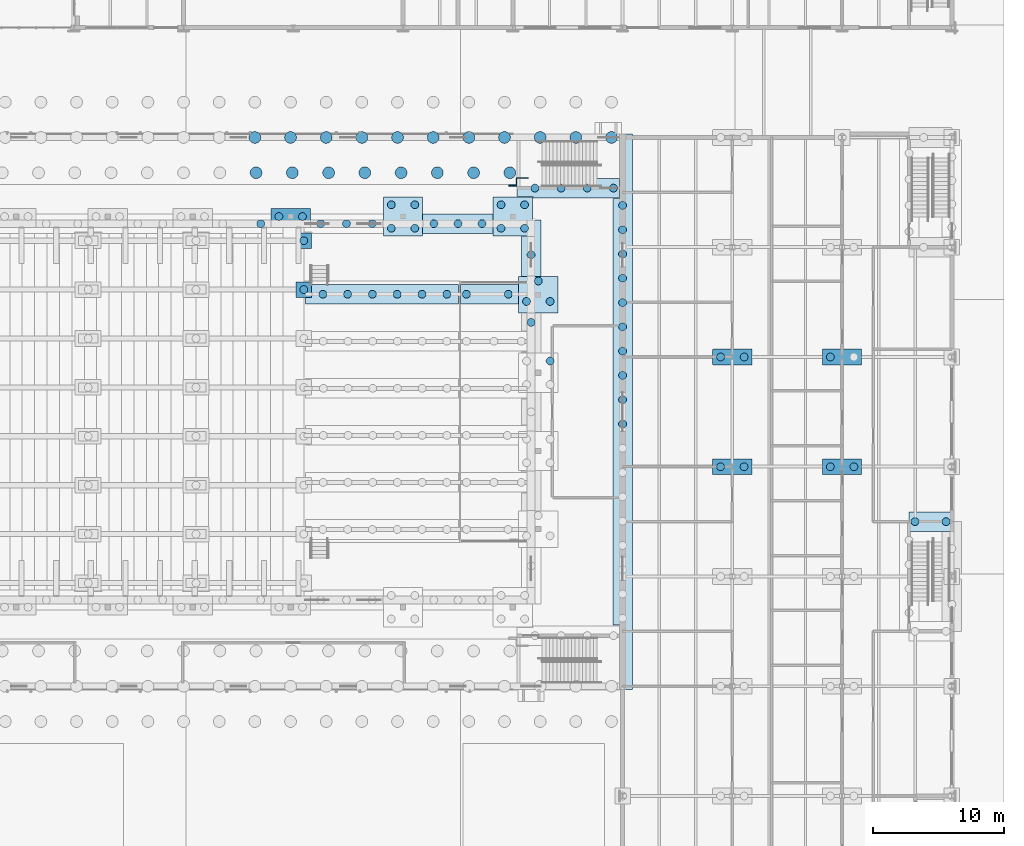
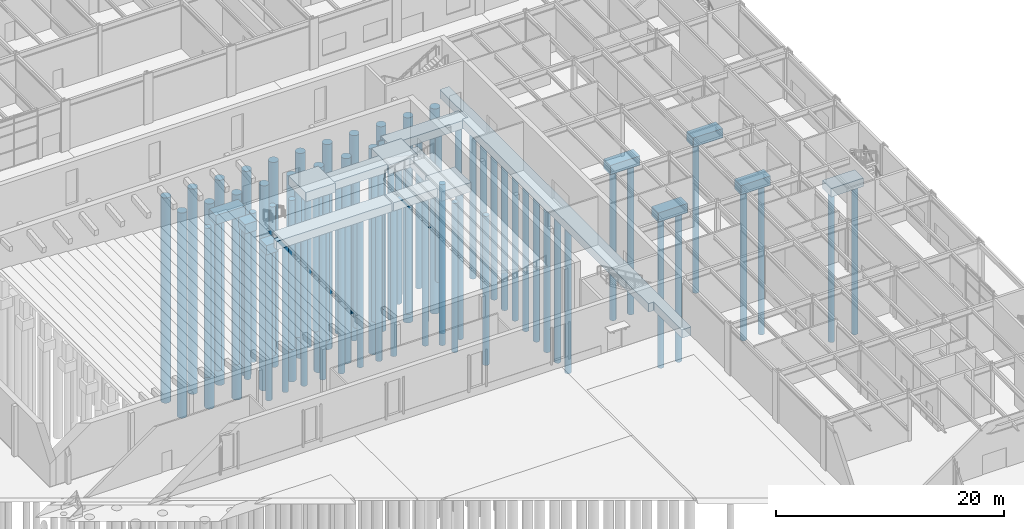
# One storey, part 14 of 127: 75 piles, 18 footings.
"""IFC4 building model written with IfcOpenShell, lengths in metres."""

from ifc_helpers import new_model, si_unit, direction, frame, origin, origin_2d, place, context, subcontext, project, spatial, polyline, circle, outline, extrude, material, layer, layer_set, material_profile, profile_set, type_object, element, save


model = new_model("IFC4")

# Units and contexts
model_context = context("Model", 3, precision=1e-05, world=origin(), true_north=direction((0.0, 1.0)))
body_context = subcontext(model_context, "Body", "Model", "MODEL_VIEW")
ifc_project = project(units=[si_unit("LENGTHUNIT", "METRE"), si_unit("AREAUNIT", "SQUARE_METRE"), si_unit("VOLUMEUNIT", "CUBIC_METRE"), si_unit("PLANEANGLEUNIT", "RADIAN"), si_unit("MASSUNIT", "GRAM", prefix="KILO")], contexts=[model_context])

# Site, building, storey
site_placement = place(None, origin())
site = spatial("IfcSite", under=ifc_project, at=site_placement, CompositionType="ELEMENT")
building_placement = place(site_placement, origin())
building = spatial("IfcBuilding", under=site, at=building_placement, Name="Ljudholm Concert House", CompositionType="ELEMENT")
storey_placement = place(building_placement, origin())
storey = spatial("IfcBuildingStorey", under=building, at=storey_placement, Name="L00", CompositionType="ELEMENT", Elevation=0.0)

# Piles
ifc_material_1 = material(Name="Concrete 5,000 psi", Category="concrete")
ifc_material_profile_1 = material_profile(ifc_material_1, circle(Radius=0.300048828125, at=origin_2d()), Name="AUGER-CAST PILE D600")
ifc_profile_set_1 = profile_set([ifc_material_profile_1], Name="Concrete 5,000 psi")
pile_type_1 = type_object("IfcPileType", Name="AUGER-CAST PILE D600", PredefinedType="BORED", material=ifc_profile_set_1)
for number, where, z_axis, x_axis, name in (
    (1, (70.10009765625, 90.35009765625, -1.300048828125), (0.0, 0.0, -1.0), (1.0, 0.0, 0.0), "Pile D600"),
    (2, (71.89990234375, 90.35009765625, -1.300048828125), (0.0, 0.0, -1.0), (1.0, 0.0, 0.0), "Pile D600"),
    (3, (72.0, 84.757080078125, -1.804931640625), (0.0, 0.0, -1.0), (1.0, 0.0, 0.0), "Pile D600"),
    (4, (72.0, 88.5, -1.804931640625), (0.0, 0.0, -1.0), (1.0, 0.0, 0.0), "Pile D600"),
    (5, (78.699951171875, 89.449951171875, -1.300048828125), (0.0, 0.0, -1.0), (1.0, 0.0, 0.0), "Pile D600"),
    (6, (80.5, 89.449951171875, -1.300048828125), (0.0, 0.0, -1.0), (1.0, 0.0, 0.0), "Pile D600"),
    (7, (78.699951171875, 91.25, -1.300048828125), (0.0, 0.0, -1.0), (1.0, 0.0, 0.0), "Pile D600"),
    (8, (80.5, 91.25, -1.300048828125), (0.0, 0.0, -1.0), (1.0, 0.0, 0.0), "Pile D600"),
    (9, (87.10009765625, 89.449951171875, -1.300048828125), (0.0, 0.0, -1.0), (1.0, 0.0, 0.0), "Pile D600"),
    (10, (88.89990234375, 89.449951171875, -1.300048828125), (0.0, 0.0, -1.0), (1.0, 0.0, 0.0), "Pile D600"),
    (11, (87.10009765625, 91.25, -1.300048828125), (0.0, 0.0, -1.0), (1.0, 0.0, 0.0), "Pile D600"),
    (12, (88.89990234375, 91.25, -1.300048828125), (0.0, 0.0, -1.0), (1.0, 0.0, 0.0), "Pile D600"),
    (13, (90.85009765625, 79.2900390625, -1.300048828125), (0.0, 0.0, -1.0), (1.0, 0.0, 0.0), "Pile D600"),
    (14, (89.050048828125, 83.850341796875, -1.300048828125), (0.0, 0.0, -1.0), (1.0, 0.0, 0.0), "Pile D600"),
    (15, (90.85009765625, 83.850341796875, -1.300048828125), (0.0, 0.0, -1.0), (1.0, 0.0, 0.0), "Pile D600"),
    (16, (89.949951171875, 85.4091796875, -1.300048828125), (0.0, 0.0, -1.0), (1.0, 0.0, 0.0), "Pile D600"),
    (17, (103.89990234375, 71.199951171875, -1.25), (0.0, 0.0, -1.0), (1.0, 0.0, 0.0), "Pile D600"),
    (18, (105.699951171875, 71.199951171875, -1.25), (0.0, 0.0, -1.0), (1.0, 0.0, 0.0), "Pile D600"),
    (19, (103.89990234375, 79.60009765625, -1.25), (0.0, 0.0, -1.0), (1.0, 0.0, 0.0), "Pile D600"),
    (20, (105.699951171875, 79.60009765625, -1.25), (0.0, 0.0, -1.0), (1.0, 0.0, 0.0), "Pile D600"),
    (21, (112.300048828125, 71.199951171875, -1.25), (0.0, 0.0, -1.0), (1.0, 0.0, 0.0), "Pile D600"),
    (22, (114.10009765625, 71.199951171875, -1.25), (0.0, 0.0, -1.0), (1.0, 0.0, 0.0), "Pile D600"),
    (23, (112.300048828125, 79.60009765625, -1.25), (0.0, 0.0, -1.0), (1.0, 0.0, 0.0), "Pile D600"),
    (24, (118.77490234375, 67.0, -1.14990234375), (0.0, 0.0, -1.0), (1.0, 0.0, 0.0), "Pile D600"),
    (25, (121.14990234375, 67.0, -1.14990234375), (0.0, 0.0, -1.0), (1.0, 0.0, 0.0), "Pile D600"),
    (26, (84.449951171875, 84.39990234375, -1.199951171875), (0.0, 0.0, -1.0), (1.0, 0.0, 0.0), "Pile D600"),
    (27, (87.65478515625, 84.39990234375, -1.199951171875), (0.0, 0.0, -1.0), (1.0, 0.0, 0.0), "Pile D600"),
    (28, (89.689453125, 92.52490234375, -1.39990234375), (0.0, 0.0, -1.0), (1.0, 0.0, 0.0), "Pile D600"),
    (29, (91.69287109375, 92.52490234375, -1.39990234375), (0.0, 0.0, -1.0), (1.0, 0.0, 0.0), "Pile D600"),
    (30, (93.696533203125, 92.52490234375, -1.39990234375), (0.0, 0.0, -1.0), (1.0, 0.0, 0.0), "Pile D600"),
    (31, (95.699951171875, 92.52490234375, -1.39990234375), (0.0, 0.0, -1.0), (1.0, 0.0, 0.0), "Pile D600"),
    (32, (73.456787109375, 84.39990234375, -1.199951171875), (0.0, 0.0, -1.0), (1.0, 0.0, 0.0), "Pile D600"),
    (33, (75.35546875, 84.39990234375, -1.199951171875), (0.0, 0.0, -1.0), (1.0, 0.0, 0.0), "Pile D600"),
    (34, (77.25390625, 84.39990234375, -1.199951171875), (0.0, 0.0, -1.0), (1.0, 0.0, 0.0), "Pile D600"),
    (35, (79.152587890625, 84.39990234375, -1.199951171875), (0.0, 0.0, -1.0), (1.0, 0.0, 0.0), "Pile D600"),
    (36, (81.05126953125, 84.39990234375, -1.199951171875), (0.0, 0.0, -1.0), (1.0, 0.0, 0.0), "Pile D600"),
    (37, (82.949951171875, 84.39990234375, -1.199951171875), (0.0, 0.0, -1.0), (1.0, 0.0, 0.0), "Pile D600"),
    (38, (68.704833984375, 89.800048828125, -1.199951171875), (0.0, 0.0, -1.0), (1.0, 0.0, 0.0), "Pile D600"),
    (39, (73.295166015625, 89.800048828125, -1.199951171875), (0.0, 0.0, -1.0), (1.0, 0.0, 0.0), "Pile D600"),
    (40, (75.268310546875, 89.800048828125, -1.199951171875), (0.0, 0.0, -1.0), (1.0, 0.0, 0.0), "Pile D600"),
    (41, (77.24169921875, 89.800048828125, -1.199951171875), (0.0, 0.0, -1.0), (1.0, 0.0, 0.0), "Pile D600"),
    (42, (81.958251953125, 89.800048828125, -1.199951171875), (0.0, 0.0, -1.0), (1.0, 0.0, 0.0), "Pile D600"),
    (43, (83.800048828125, 89.800048828125, -1.199951171875), (0.0, 0.0, -1.0), (1.0, 0.0, 0.0), "Pile D600"),
    (44, (85.6416015625, 89.800048828125, -1.199951171875), (0.0, 0.0, -1.0), (1.0, 0.0, 0.0), "Pile D600"),
    (45, (89.39990234375, 87.420166015625, -1.199951171875), (0.0, 0.0, -1.0), (1.0, 0.0, 0.0), "Pile D600"),
    (46, (89.39990234375, 82.245361328125, -1.199951171875), (0.0, 0.0, -1.0), (1.0, 0.0, 0.0), "Pile D600"),
    (47, (96.39990234375, 74.470703125, -1.199951171875), (0.0, 0.0, -1.0), (1.0, 0.0, 0.0), "Pile D600"),
    (48, (96.39990234375, 76.329345703125, -1.199951171875), (0.0, 0.0, -1.0), (1.0, 0.0, 0.0), "Pile D600"),
    (49, (96.39990234375, 78.18798828125, -1.199951171875), (0.0, 0.0, -1.0), (1.0, 0.0, 0.0), "Pile D600"),
    (50, (96.39990234375, 80.046630859375, -1.199951171875), (0.0, 0.0, -1.0), (1.0, 0.0, 0.0), "Pile D600"),
    (51, (96.39990234375, 81.9052734375, -1.199951171875), (0.0, 0.0, -1.0), (1.0, 0.0, 0.0), "Pile D600"),
    (52, (96.39990234375, 83.763916015625, -1.199951171875), (0.0, 0.0, -1.0), (1.0, 0.0, 0.0), "Pile D600"),
    (53, (96.39990234375, 85.62255859375, -1.199951171875), (0.0, 0.0, -1.0), (1.0, 0.0, 0.0), "Pile D600"),
    (54, (96.39990234375, 87.481201171875, -1.199951171875), (0.0, 0.0, -1.0), (1.0, 0.0, 0.0), "Pile D600"),
    (55, (96.39990234375, 89.33984375, -1.199951171875), (0.0, 0.0, -1.0), (1.0, 0.0, 0.0), "Pile D600"),
    (56, (96.39990234375, 91.198486328125, -1.199951171875), (0.0, 0.0, -1.0), (1.0, 0.0, 0.0), "Pile D600"),
):
    element("IfcPile", number, at=place(storey_placement, frame(where, z_axis=z_axis, x_axis=x_axis)), inside=storey, type_object=pile_type_1, Name=name, PredefinedType="BORED", context=body_context, shape_type="SweptSolid", body=[
        extrude(circle(Radius=0.300048828125, at=origin_2d()), origin(), (0.0, 0.0, 1.0), 16.0),
    ])
ifc_material_2 = material(Name="Concrete 5,000 psi", Category="concrete")
ifc_material_profile_2 = material_profile(ifc_material_2, circle(Radius=0.449951171875, at=origin_2d()), Name="AUGER-CAST PILE D900")
ifc_profile_set_2 = profile_set([ifc_material_profile_2], Name="Concrete 5,000 psi")
pile_type_2 = type_object("IfcPileType", Name="AUGER-CAST PILE D900", PredefinedType="BORED", material=ifc_profile_set_2)
for number, where, z_axis, x_axis, name in (
    (57, (68.34912109375, 93.699951171875, -1.699951171875), (0.0, 0.0, -1.0), (1.0, 0.0, 0.0), "Pile D900"),
    (58, (71.123779296875, 93.699951171875, -1.699951171875), (0.0, 0.0, -1.0), (1.0, 0.0, 0.0), "Pile D900"),
    (59, (73.898193359375, 93.699951171875, -1.699951171875), (0.0, 0.0, -1.0), (1.0, 0.0, 0.0), "Pile D900"),
    (60, (76.6728515625, 93.699951171875, -1.699951171875), (0.0, 0.0, -1.0), (1.0, 0.0, 0.0), "Pile D900"),
    (61, (79.447509765625, 93.699951171875, -1.699951171875), (0.0, 0.0, -1.0), (1.0, 0.0, 0.0), "Pile D900"),
    (62, (82.221923828125, 93.699951171875, -1.699951171875), (0.0, 0.0, -1.0), (1.0, 0.0, 0.0), "Pile D900"),
    (63, (84.99658203125, 93.699951171875, -1.699951171875), (0.0, 0.0, -1.0), (1.0, 0.0, 0.0), "Pile D900"),
    (64, (87.771240234375, 93.699951171875, -1.699951171875), (0.0, 0.0, -1.0), (1.0, 0.0, 0.0), "Pile D900"),
    (65, (68.25830078125, 96.39990234375, -1.699951171875), (0.0, 0.0, -1.0), (1.0, 0.0, 0.0), "Pile D900"),
    (66, (70.987548828125, 96.39990234375, -1.699951171875), (0.0, 0.0, -1.0), (1.0, 0.0, 0.0), "Pile D900"),
    (67, (73.716552734375, 96.39990234375, -1.699951171875), (0.0, 0.0, -1.0), (1.0, 0.0, 0.0), "Pile D900"),
    (68, (76.44580078125, 96.39990234375, -1.699951171875), (0.0, 0.0, -1.0), (1.0, 0.0, 0.0), "Pile D900"),
    (69, (79.175048828125, 96.39990234375, -1.699951171875), (0.0, 0.0, -1.0), (1.0, 0.0, 0.0), "Pile D900"),
    (70, (81.904052734375, 96.39990234375, -1.699951171875), (0.0, 0.0, -1.0), (1.0, 0.0, 0.0), "Pile D900"),
    (71, (84.63330078125, 96.39990234375, -1.699951171875), (0.0, 0.0, -1.0), (1.0, 0.0, 0.0), "Pile D900"),
    (72, (87.362548828125, 96.39990234375, -1.699951171875), (0.0, 0.0, -1.0), (1.0, 0.0, 0.0), "Pile D900"),
    (73, (90.091552734375, 96.39990234375, -1.699951171875), (0.0, 0.0, -1.0), (1.0, 0.0, 0.0), "Pile D900"),
    (74, (92.82080078125, 96.39990234375, -1.699951171875), (0.0, 0.0, -1.0), (1.0, 0.0, 0.0), "Pile D900"),
    (75, (95.550048828125, 96.39990234375, -1.699951171875), (0.0, 0.0, -1.0), (1.0, 0.0, 0.0), "Pile D900"),
):
    element("IfcPile", number, at=place(storey_placement, frame(where, z_axis=z_axis, x_axis=x_axis)), inside=storey, type_object=pile_type_2, Name=name, PredefinedType="BORED", context=body_context, shape_type="SweptSolid", body=[
        extrude(circle(Radius=0.449951171875, at=origin_2d()), origin(), (0.0, 0.0, 1.0), 22.0),
    ])

# Footings
ifc_material_3 = material(Name="Concrete 5,000 psi", Category="concrete")
ifc_layer_1 = layer(ifc_material_3, 1.0)
ifc_layer_set_1 = layer_set([ifc_layer_1], Name="Concrete 5,000 psi")
footing_type_1 = type_object("IfcFootingType", Name="RC PILE CAP 1200x1200x1000", PredefinedType="PILE_CAP", material=ifc_layer_set_1)
footing_1_placement = place(storey_placement, frame((0.0, 0.0, -1.804931640625)))
element("IfcFooting", 76, at=footing_1_placement, inside=storey, type_object=footing_type_1, Name="Pile cap", PredefinedType="PILE_CAP", context=body_context, shape_type="SweptSolid", body=[
    extrude(outline(polyline([(71.409912109375, 84.1572265625), (72.590087890625, 84.1572265625), (72.59375, 84.157958984375), (72.59716796875, 84.16015625), (72.59912109375, 84.163330078125), (72.60009765625, 84.167236328125), (72.60009765625, 85.34716796875), (72.59912109375, 85.35107421875), (72.59716796875, 85.354248046875), (72.59375, 85.3564453125), (72.590087890625, 85.357177734375), (71.409912109375, 85.357177734375), (71.40625, 85.3564453125), (71.40283203125, 85.354248046875), (71.40087890625, 85.35107421875), (71.39990234375, 85.34716796875), (71.39990234375, 84.167236328125), (71.40087890625, 84.163330078125), (71.40283203125, 84.16015625), (71.40625, 84.157958984375), (71.409912109375, 84.1572265625)])), origin(), (0.0, 0.0, 1.0), 1.0),
])
footing_2_placement = place(storey_placement, frame((0.0, 0.0, -1.804931640625)))
element("IfcFooting", 77, at=footing_2_placement, inside=storey, type_object=footing_type_1, Name="Pile cap", PredefinedType="PILE_CAP", context=body_context, shape_type="SweptSolid", body=[
    extrude(outline(polyline([(71.409912109375, 87.89990234375), (72.590087890625, 87.89990234375), (72.59375, 87.90087890625), (72.59716796875, 87.90283203125), (72.59912109375, 87.90625), (72.60009765625, 87.909912109375), (72.60009765625, 89.090087890625), (72.59912109375, 89.09375), (72.59716796875, 89.09716796875), (72.59375, 89.09912109375), (72.590087890625, 89.10009765625), (71.409912109375, 89.10009765625), (71.40625, 89.09912109375), (71.40283203125, 89.09716796875), (71.40087890625, 89.09375), (71.39990234375, 89.090087890625), (71.39990234375, 87.909912109375), (71.40087890625, 87.90625), (71.40283203125, 87.90283203125), (71.40625, 87.90087890625), (71.409912109375, 87.89990234375)])), origin(), (0.0, 0.0, 1.0), 1.0),
])
ifc_material_4 = material(Name="Concrete 5,000 psi", Category="concrete")
ifc_layer_2 = layer(ifc_material_4, 1.0)
ifc_layer_set_2 = layer_set([ifc_layer_2], Name="Concrete 5,000 psi")
footing_type_2 = type_object("IfcFootingType", Name="RC PILE CAP 3000x1200x1000", PredefinedType="PILE_CAP", material=ifc_layer_set_2)
footing_3_placement = place(storey_placement, frame((0.0, 0.0, -1.300048828125)))
element("IfcFooting", 78, at=footing_3_placement, inside=storey, type_object=footing_type_2, Name="Pile cap", PredefinedType="PILE_CAP", context=body_context, shape_type="SweptSolid", body=[
    extrude(outline(polyline([(69.510009765625, 89.75), (72.489990234375, 89.75), (72.493896484375, 89.750732421875), (72.498291015625, 89.75439453125), (72.5, 89.760009765625), (72.5, 90.93994140625), (72.499267578125, 90.94384765625), (72.49560546875, 90.9482421875), (72.489990234375, 90.949951171875), (69.510009765625, 90.949951171875), (69.506103515625, 90.94921875), (69.501708984375, 90.945556640625), (69.5, 90.93994140625), (69.5, 89.760009765625), (69.500732421875, 89.756103515625), (69.5029296875, 89.7529296875), (69.506103515625, 89.750732421875), (69.510009765625, 89.75)])), origin(), (0.0, 0.0, 1.0), 1.0),
])
footing_4_placement = place(storey_placement, frame((0.0, 0.0, -1.25)))
element("IfcFooting", 79, at=footing_4_placement, inside=storey, type_object=footing_type_2, Name="Pile cap", PredefinedType="PILE_CAP", context=body_context, shape_type="SweptSolid", body=[
    extrude(outline(polyline([(103.300048828125, 71.7900390625), (103.300048828125, 70.610107421875), (103.3017578125, 70.6044921875), (103.30615234375, 70.600830078125), (103.31005859375, 70.60009765625), (106.2900390625, 70.60009765625), (106.295654296875, 70.601806640625), (106.29931640625, 70.606201171875), (106.300048828125, 70.610107421875), (106.300048828125, 71.7900390625), (106.29833984375, 71.795654296875), (106.2939453125, 71.79931640625), (106.2900390625, 71.800048828125), (103.31005859375, 71.800048828125), (103.30615234375, 71.79931640625), (103.302978515625, 71.797119140625), (103.30078125, 71.7939453125), (103.300048828125, 71.7900390625)])), origin(), (0.0, 0.0, 1.0), 1.0),
])
footing_5_placement = place(storey_placement, frame((0.0, 0.0, -1.25)))
element("IfcFooting", 80, at=footing_5_placement, inside=storey, type_object=footing_type_2, Name="Pile cap", PredefinedType="PILE_CAP", context=body_context, shape_type="SweptSolid", body=[
    extrude(outline(polyline([(103.31005859375, 79.0), (106.2900390625, 79.0), (106.2939453125, 79.000732421875), (106.29833984375, 79.00439453125), (106.300048828125, 79.010009765625), (106.300048828125, 80.18994140625), (106.29931640625, 80.19384765625), (106.295654296875, 80.1982421875), (106.2900390625, 80.199951171875), (103.31005859375, 80.199951171875), (103.30615234375, 80.19921875), (103.3017578125, 80.195556640625), (103.300048828125, 80.18994140625), (103.300048828125, 79.010009765625), (103.30078125, 79.006103515625), (103.302978515625, 79.0029296875), (103.30615234375, 79.000732421875), (103.31005859375, 79.0)])), origin(), (0.0, 0.0, 1.0), 1.0),
])
footing_6_placement = place(storey_placement, frame((0.0, 0.0, -1.25)))
element("IfcFooting", 81, at=footing_6_placement, inside=storey, type_object=footing_type_2, Name="Pile cap", PredefinedType="PILE_CAP", context=body_context, shape_type="SweptSolid", body=[
    extrude(outline(polyline([(111.699951171875, 71.7900390625), (111.699951171875, 70.610107421875), (111.70166015625, 70.6044921875), (111.7060546875, 70.600830078125), (111.7099609375, 70.60009765625), (114.68994140625, 70.60009765625), (114.695556640625, 70.601806640625), (114.69921875, 70.606201171875), (114.699951171875, 70.610107421875), (114.699951171875, 71.7900390625), (114.6982421875, 71.795654296875), (114.69384765625, 71.79931640625), (114.68994140625, 71.800048828125), (111.7099609375, 71.800048828125), (111.7060546875, 71.79931640625), (111.702880859375, 71.797119140625), (111.70068359375, 71.7939453125), (111.699951171875, 71.7900390625)])), origin(), (0.0, 0.0, 1.0), 1.0),
])
footing_7_placement = place(storey_placement, frame((0.0, 0.0, -1.25)))
element("IfcFooting", 82, at=footing_7_placement, inside=storey, type_object=footing_type_2, Name="Pile cap", PredefinedType="PILE_CAP", context=body_context, shape_type="SweptSolid", body=[
    extrude(outline(polyline([(111.7099609375, 79.0), (114.68994140625, 79.0), (114.69384765625, 79.000732421875), (114.6982421875, 79.00439453125), (114.699951171875, 79.010009765625), (114.699951171875, 80.18994140625), (114.69921875, 80.19384765625), (114.695556640625, 80.1982421875), (114.68994140625, 80.199951171875), (111.7099609375, 80.199951171875), (111.7060546875, 80.19921875), (111.70166015625, 80.195556640625), (111.699951171875, 80.18994140625), (111.699951171875, 79.010009765625), (111.70068359375, 79.006103515625), (111.702880859375, 79.0029296875), (111.7060546875, 79.000732421875), (111.7099609375, 79.0)])), origin(), (0.0, 0.0, 1.0), 1.0),
])
ifc_material_5 = material(Name="Concrete 5,000 psi", Category="concrete")
ifc_layer_3 = layer(ifc_material_5, 1.0)
ifc_layer_set_3 = layer_set([ifc_layer_3], Name="Concrete 5,000 psi")
footing_type_3 = type_object("IfcFootingType", Name="RC PILE CAP 3000x2800x1000", PredefinedType="PILE_CAP", material=ifc_layer_set_3)
footing_8_placement = place(storey_placement, frame((0.0, 0.0, -1.300048828125)))
element("IfcFooting", 83, at=footing_8_placement, inside=storey, type_object=footing_type_3, Name="Pile cap", PredefinedType="PILE_CAP", context=body_context, shape_type="SweptSolid", body=[
    extrude(outline(polyline([(88.4599609375, 82.969970703125), (91.43994140625, 82.969970703125), (91.44384765625, 82.970703125), (91.447021484375, 82.972900390625), (91.44921875, 82.97607421875), (91.449951171875, 82.97998046875), (91.449951171875, 85.760009765625), (91.44921875, 85.763916015625), (91.447021484375, 85.76708984375), (91.44384765625, 85.769287109375), (91.43994140625, 85.77001953125), (88.4599609375, 85.77001953125), (88.4560546875, 85.769287109375), (88.452880859375, 85.76708984375), (88.45068359375, 85.763916015625), (88.449951171875, 85.760009765625), (88.449951171875, 82.97998046875), (88.45068359375, 82.97607421875), (88.452880859375, 82.972900390625), (88.4560546875, 82.970703125), (88.4599609375, 82.969970703125)])), origin(), (0.0, 0.0, 1.0), 1.0),
])
ifc_material_6 = material(Name="Concrete 5,000 psi", Category="concrete")
ifc_layer_4 = layer(ifc_material_6, 1.0)
ifc_layer_set_4 = layer_set([ifc_layer_4], Name="Concrete 5,000 psi")
footing_type_4 = type_object("IfcFootingType", Name="RC PILE CAP 3000x3000x1000", PredefinedType="PILE_CAP", material=ifc_layer_set_4)
footing_9_placement = place(storey_placement, frame((0.0, 0.0, -1.300048828125)))
element("IfcFooting", 84, at=footing_9_placement, inside=storey, type_object=footing_type_4, Name="Pile cap", PredefinedType="PILE_CAP", context=body_context, shape_type="SweptSolid", body=[
    extrude(outline(polyline([(78.110107421875, 88.85009765625), (81.090087890625, 88.85009765625), (81.09375, 88.850830078125), (81.09716796875, 88.85302734375), (81.09912109375, 88.856201171875), (81.10009765625, 88.860107421875), (81.10009765625, 91.840087890625), (81.09912109375, 91.84375), (81.09716796875, 91.84716796875), (81.09375, 91.84912109375), (81.090087890625, 91.85009765625), (78.110107421875, 91.85009765625), (78.106201171875, 91.84912109375), (78.10302734375, 91.84716796875), (78.100830078125, 91.84375), (78.10009765625, 91.840087890625), (78.10009765625, 88.860107421875), (78.100830078125, 88.856201171875), (78.10302734375, 88.85302734375), (78.106201171875, 88.850830078125), (78.110107421875, 88.85009765625)])), origin(), (0.0, 0.0, 1.0), 1.0),
])
footing_10_placement = place(storey_placement, frame((0.0, 0.0, -1.300048828125)))
element("IfcFooting", 85, at=footing_10_placement, inside=storey, type_object=footing_type_4, Name="Pile cap", PredefinedType="PILE_CAP", context=body_context, shape_type="SweptSolid", body=[
    extrude(outline(polyline([(86.510009765625, 88.85009765625), (89.489990234375, 88.85009765625), (89.493896484375, 88.850830078125), (89.4970703125, 88.85302734375), (89.499267578125, 88.856201171875), (89.5, 88.860107421875), (89.5, 91.840087890625), (89.499267578125, 91.84375), (89.4970703125, 91.84716796875), (89.493896484375, 91.84912109375), (89.489990234375, 91.85009765625), (86.510009765625, 91.85009765625), (86.506103515625, 91.84912109375), (86.5029296875, 91.84716796875), (86.500732421875, 91.84375), (86.5, 91.840087890625), (86.5, 88.860107421875), (86.500732421875, 88.856201171875), (86.5029296875, 88.85302734375), (86.506103515625, 88.850830078125), (86.510009765625, 88.85009765625)])), origin(), (0.0, 0.0, 1.0), 1.0),
])
ifc_material_7 = material(Name="Concrete 5,000 psi", Category="concrete")
ifc_layer_5 = layer(ifc_material_7, 0.89990234375)
ifc_layer_set_5 = layer_set([ifc_layer_5], Name="Concrete 5,000 psi")
footing_type_5 = type_object("IfcFootingType", Name="RC STRIP FOOTING 1500x900", PredefinedType="STRIP_FOOTING", material=ifc_layer_set_5)
footing_11_placement = place(storey_placement, frame((0.0, 0.0, -1.14990234375)))
element("IfcFooting", 86, at=footing_11_placement, inside=storey, type_object=footing_type_5, Name="Strip footing", PredefinedType="STRIP_FOOTING", context=body_context, shape_type="SweptSolid", body=[
    extrude(outline(polyline([(118.3349609375, 66.25), (121.590087890625, 66.25), (121.59375, 66.250732421875), (121.598388671875, 66.25439453125), (121.60009765625, 66.260009765625), (121.60009765625, 67.739990234375), (121.59912109375, 67.743896484375), (121.595458984375, 67.748291015625), (121.590087890625, 67.75), (118.3349609375, 67.75), (118.3310546875, 67.749267578125), (118.32666015625, 67.74560546875), (118.324951171875, 67.739990234375), (118.324951171875, 66.260009765625), (118.32568359375, 66.256103515625), (118.327880859375, 66.2529296875), (118.3310546875, 66.250732421875), (118.3349609375, 66.25)])), origin(), (0.0, 0.0, 1.0), 0.89990234375),
])
footing_12_placement = place(storey_placement, frame((0.0, 0.0, -1.199951171875)))
element("IfcFooting", 87, at=footing_12_placement, inside=storey, type_object=footing_type_5, Name="Strip footing", PredefinedType="STRIP_FOOTING", context=body_context, shape_type="SweptSolid", body=[
    extrude(outline(polyline([(84.010009765625, 83.64990234375), (88.44287109375, 83.650390625), (88.445556640625, 83.651611328125), (88.4482421875, 83.654541015625), (88.449951171875, 83.659912109375), (88.449462890625, 85.142822265625), (88.4482421875, 85.1455078125), (88.445556640625, 85.148193359375), (88.43994140625, 85.14990234375), (84.007080078125, 85.149658203125), (84.00439453125, 85.148193359375), (84.001708984375, 85.1455078125), (84.0, 85.139892578125), (84.0, 83.659912109375), (84.000732421875, 83.65625), (84.0029296875, 83.65283203125), (84.006103515625, 83.65087890625), (84.010009765625, 83.64990234375)])), origin(), (0.0, 0.0, 1.0), 0.89990234375),
])
footing_13_placement = place(storey_placement, frame((0.0, 0.0, -1.39990234375)))
element("IfcFooting", 88, at=footing_13_placement, inside=storey, type_object=footing_type_5, Name="Strip footing", PredefinedType="STRIP_FOOTING", context=body_context, shape_type="SweptSolid", body=[
    extrude(outline(polyline([(88.31005859375, 91.89990234375), (89.541015625, 91.89990234375), (89.543701171875, 91.899169921875), (89.547119140625, 91.89697265625), (89.54931640625, 91.893798828125), (89.550048828125, 91.890869140625), (89.55029296875, 91.782958984375), (89.55126953125, 91.7802734375), (89.5537109375, 91.77734375), (89.55615234375, 91.77587890625), (89.56005859375, 91.77490234375), (96.141845703125, 91.775146484375), (96.144775390625, 91.776123046875), (96.147705078125, 91.778564453125), (96.149169921875, 91.78125), (96.14990234375, 91.784912109375), (96.14990234375, 93.266845703125), (96.14892578125, 93.269775390625), (96.146240234375, 93.272705078125), (96.143798828125, 93.274169921875), (96.139892578125, 93.27490234375), (88.30810546875, 93.27490234375), (88.30517578125, 93.27392578125), (88.30224609375, 93.271240234375), (88.30078125, 93.268798828125), (88.300048828125, 93.264892578125), (88.300048828125, 91.909912109375), (88.30078125, 91.90625), (88.302978515625, 91.90283203125), (88.30615234375, 91.90087890625), (88.31005859375, 91.89990234375)])), origin(), (0.0, 0.0, 1.0), 0.89990234375),
])
footing_14_placement = place(storey_placement, frame((0.0, 0.0, -1.199951171875)))
element("IfcFooting", 89, at=footing_14_placement, inside=storey, type_object=footing_type_5, Name="Strip footing", PredefinedType="STRIP_FOOTING", context=body_context, shape_type="SweptSolid", body=[
    extrude(outline(polyline([(72.159912109375, 83.64990234375), (83.841064453125, 83.650146484375), (83.8447265625, 83.651123046875), (83.84716796875, 83.65283203125), (83.84912109375, 83.65625), (83.85009765625, 83.659912109375), (83.849853515625, 85.140869140625), (83.848876953125, 85.144775390625), (83.84716796875, 85.14697265625), (83.84375, 85.149169921875), (83.840087890625, 85.14990234375), (72.609130859375, 85.14990234375), (72.605224609375, 85.14892578125), (72.60302734375, 85.14697265625), (72.600830078125, 85.143798828125), (72.60009765625, 85.139892578125), (72.599609375, 84.164306640625), (72.598388671875, 84.16162109375), (72.595458984375, 84.158935546875), (72.58984375, 84.1572265625), (72.159912109375, 84.1572265625), (72.1552734375, 84.156005859375), (72.15234375, 84.153564453125), (72.15087890625, 84.15087890625), (72.14990234375, 84.147216796875), (72.14990234375, 83.659912109375), (72.15087890625, 83.65625), (72.15283203125, 83.65283203125), (72.15625, 83.65087890625), (72.159912109375, 83.64990234375)])), origin(), (0.0, 0.0, 1.0), 0.89990234375),
])
footing_15_placement = place(storey_placement, frame((0.0, 0.0, -1.199951171875)))
element("IfcFooting", 90, at=footing_15_placement, inside=storey, type_object=footing_type_5, Name="Strip footing", PredefinedType="STRIP_FOOTING", context=body_context, shape_type="SweptSolid", body=[
    extrude(outline(polyline([(81.110107421875, 89.050048828125), (86.492919921875, 89.050537109375), (86.49560546875, 89.0517578125), (86.498291015625, 89.054443359375), (86.5, 89.06005859375), (86.49951171875, 90.54296875), (86.498291015625, 90.545654296875), (86.49560546875, 90.54833984375), (86.489990234375, 90.550048828125), (81.107177734375, 90.549560546875), (81.1044921875, 90.54833984375), (81.101806640625, 90.545654296875), (81.10009765625, 90.5400390625), (81.10009765625, 89.06005859375), (81.100830078125, 89.05615234375), (81.10302734375, 89.052978515625), (81.106201171875, 89.05078125), (81.110107421875, 89.050048828125)])), origin(), (0.0, 0.0, 1.0), 0.89990234375),
])
footing_16_placement = place(storey_placement, frame((0.0, 0.0, -1.199951171875)))
element("IfcFooting", 91, at=footing_16_placement, inside=storey, type_object=footing_type_5, Name="Strip footing", PredefinedType="STRIP_FOOTING", context=body_context, shape_type="SweptSolid", body=[
    extrude(outline(polyline([(88.659912109375, 85.77001953125), (90.139892578125, 85.77001953125), (90.1455078125, 85.771728515625), (90.148193359375, 85.7744140625), (90.149658203125, 85.777099609375), (90.14990234375, 90.090087890625), (90.148193359375, 90.095458984375), (90.1455078125, 90.098388671875), (90.142822265625, 90.099609375), (89.510009765625, 90.10009765625), (89.50537109375, 90.098876953125), (89.501220703125, 90.0947265625), (89.5, 90.090087890625), (89.5, 88.8603515625), (89.499267578125, 88.856201171875), (89.496337890625, 88.852294921875), (89.492919921875, 88.850341796875), (89.48974609375, 88.85009765625), (88.659912109375, 88.85009765625), (88.654541015625, 88.848388671875), (88.651611328125, 88.845458984375), (88.650390625, 88.843017578125), (88.64990234375, 85.780029296875), (88.65087890625, 85.776123046875), (88.65283203125, 85.77294921875), (88.65625, 85.770751953125), (88.659912109375, 85.77001953125)])), origin(), (0.0, 0.0, 1.0), 0.89990234375),
])
footing_17_placement = place(storey_placement, frame((0.0, 0.0, -1.199951171875)))
element("IfcFooting", 92, at=footing_17_placement, inside=storey, type_object=footing_type_5, Name="Strip footing", PredefinedType="STRIP_FOOTING", context=body_context, shape_type="SweptSolid", body=[
    extrude(outline(polyline([(95.64990234375, 91.715087890625), (95.64990234375, 59.0849609375), (95.65087890625, 59.0810546875), (95.65283203125, 59.077880859375), (95.65625, 59.07568359375), (95.659912109375, 59.074951171875), (96.189697265625, 59.074951171875), (96.19287109375, 59.074462890625), (96.1962890625, 59.07275390625), (96.19873046875, 59.06982421875), (96.199951171875, 59.06591796875), (96.200439453125, 54.156982421875), (96.20166015625, 54.154541015625), (96.204345703125, 54.151611328125), (96.2099609375, 54.14990234375), (97.139892578125, 54.14990234375), (97.143798828125, 54.15087890625), (97.14697265625, 54.15283203125), (97.149169921875, 54.15625), (97.14990234375, 54.159912109375), (97.14990234375, 96.639892578125), (97.148193359375, 96.6455078125), (97.1455078125, 96.648193359375), (97.142822265625, 96.649658203125), (96.2099609375, 96.64990234375), (96.204345703125, 96.648193359375), (96.20166015625, 96.6455078125), (96.200439453125, 96.642822265625), (96.199951171875, 91.734130859375), (96.19873046875, 91.730224609375), (96.1962890625, 91.727294921875), (96.19287109375, 91.725341796875), (96.189697265625, 91.72509765625), (95.659912109375, 91.72509765625), (95.65625, 91.72412109375), (95.65283203125, 91.72216796875), (95.65087890625, 91.71875), (95.64990234375, 91.715087890625)])), origin(), (0.0, 0.0, 1.0), 0.89990234375),
])
ifc_material_8 = material(Name="Concrete 5,000 psi", Category="concrete")
ifc_layer_6 = layer(ifc_material_8, 0.89990234375)
ifc_layer_set_6 = layer_set([ifc_layer_6], Name="Concrete 5,000 psi")
footing_type_6 = type_object("IfcFootingType", Name="RC STRIP FOOTING 600x900", PredefinedType="STRIP_FOOTING", material=ifc_layer_set_6)
footing_18_placement = place(storey_placement, frame((0.0, 0.0, -1.39990234375)))
element("IfcFooting", 93, at=footing_18_placement, inside=storey, type_object=footing_type_6, Name="Strip footing", PredefinedType="STRIP_FOOTING", context=body_context, shape_type="SweptSolid", body=[
    extrude(outline(polyline([(87.68505859375, 92.64990234375), (88.2900390625, 92.64990234375), (88.2939453125, 92.65087890625), (88.297119140625, 92.65283203125), (88.29931640625, 92.65625), (88.300048828125, 92.659912109375), (88.300048828125, 93.2646484375), (88.3017578125, 93.2705078125), (88.30615234375, 93.274169921875), (88.310302734375, 93.27490234375), (89.166015625, 93.275146484375), (89.169677734375, 93.276123046875), (89.172119140625, 93.27783203125), (89.1748046875, 93.282958984375), (89.175048828125, 93.31494140625), (89.17431640625, 93.31884765625), (89.170654296875, 93.3232421875), (89.1650390625, 93.324951171875), (88.260009765625, 93.324951171875), (88.256103515625, 93.32421875), (88.251708984375, 93.320556640625), (88.25, 93.31494140625), (88.25, 92.810302734375), (88.24951171875, 92.80712890625), (88.247802734375, 92.8037109375), (88.243896484375, 92.80078125), (88.23974609375, 92.800048828125), (87.68212890625, 92.799560546875), (87.67724609375, 92.79638671875), (87.675048828125, 92.791015625), (87.675048828125, 92.659912109375), (87.67578125, 92.65625), (87.677978515625, 92.65283203125), (87.68115234375, 92.65087890625), (87.68505859375, 92.64990234375)])), origin(), (0.0, 0.0, 1.0), 0.89990234375),
])

save(model, "model.ifc")
